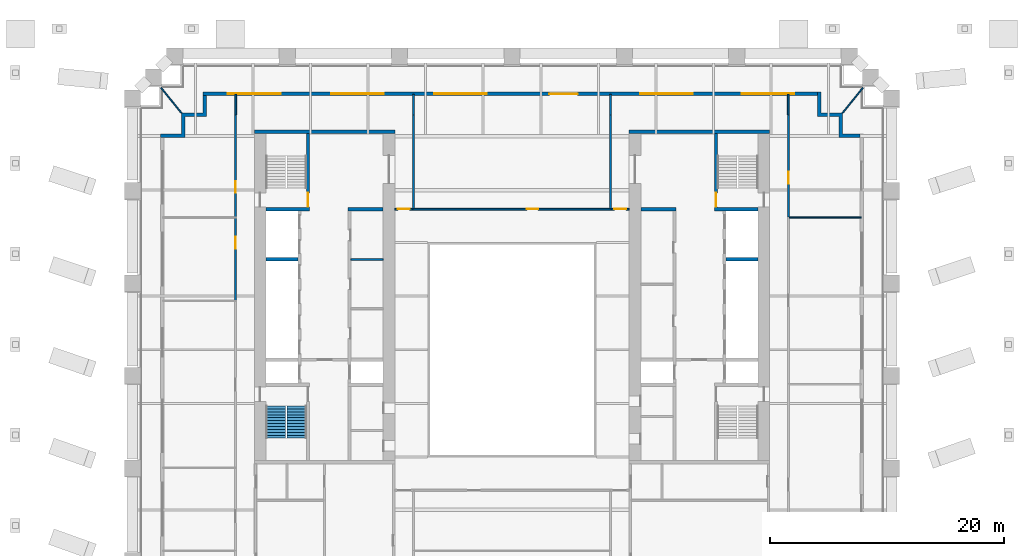
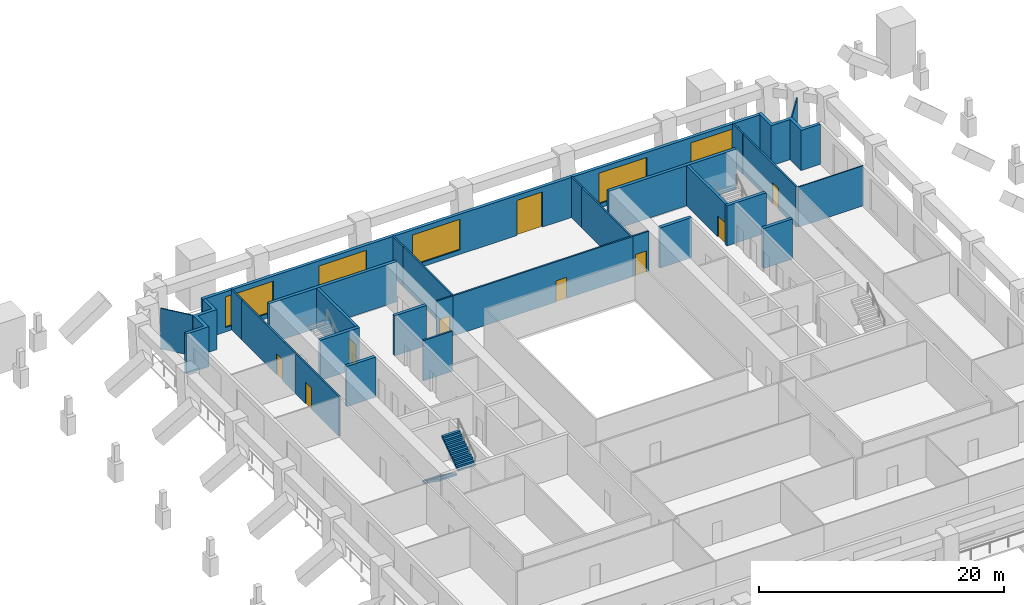
# One storey, part 7 of 10: 29 walls, 9 doors, 5 windows, 2 stair flights, 14 openings, 1 element without a shape of its own.
"""IFC4 building model written with IfcOpenShell, lengths in metres."""

from ifc_helpers import new_model, si_unit, direction, frame, frame_2d, origin, place, context, subcontext, project, spatial, polyline, rectangle, outline, extrude, material, layer, layer_set, type_object, element, fill, aggregate, save


model = new_model("IFC4")

# Units and contexts
model_context = context("Model", 3, precision=1e-05, world=origin(), true_north=direction((0.0, 1.0)))
body_context = subcontext(model_context, "Body", "Model", "MODEL_VIEW")
ifc_project = project(units=[si_unit("LENGTHUNIT", "METRE"), si_unit("AREAUNIT", "SQUARE_METRE"), si_unit("VOLUMEUNIT", "CUBIC_METRE"), si_unit("PLANEANGLEUNIT", "RADIAN"), si_unit("MASSUNIT", "GRAM", prefix="KILO")], contexts=[model_context])

# Site, building, storey
site_placement = place(None, origin())
site = spatial("IfcSite", under=ifc_project, at=site_placement, CompositionType="ELEMENT")
building_placement = place(site_placement, origin())
building = spatial("IfcBuilding", under=site, at=building_placement, Name="Ogive Exchange Tower", CompositionType="ELEMENT")
storey_placement = place(building_placement, frame((0.0, 0.0, 39.60009765625)))
storey = spatial("IfcBuildingStorey", under=building, at=storey_placement, Name="L07", CompositionType="ELEMENT", Elevation=39.60009765625)

# Walls
ifc_material_1 = material(Name="Gypsum board partition")
ifc_layer_1 = layer(ifc_material_1, 0.14990234375)
ifc_layer_set_1 = layer_set([ifc_layer_1], Name="Core room partition 150 gypsum")
wall_type_1 = type_object("IfcWallType", Name="Core room partition 150 gypsum", PredefinedType="PARTITIONING", material=ifc_layer_set_1)
wall_1_placement = place(storey_placement, frame((-13.75, 14.699951171875, 0.0), z_axis=(0.0, 0.0, 1.0), x_axis=(1.0, 0.0, 0.0)))
element("IfcWall", 1, at=wall_1_placement, inside=storey, type_object=wall_type_1, Name="W row B bay partition 1-2", PredefinedType="PARTITIONING", context=body_context, shape_type="SweptSolid", body=[
    extrude(rectangle(XDim=2.75, YDim=0.14990234375, at=frame_2d((1.375, 0.0))), origin(), (0.0, 0.0, 1.0), 4.0),
])
ifc_layer_2 = layer(ifc_material_1, 0.300048828125)
ifc_layer_set_2 = layer_set([ifc_layer_2], Name="Core room partition 300 gypsum")
wall_type_2 = type_object("IfcWallType", Name="Core room partition 300 gypsum", PredefinedType="PARTITIONING", material=ifc_layer_set_2)
for number, where, z_axis, x_axis, name in (
    (2, (-14.0, 19.0, 0.0), (0.0, 0.0, 1.0), (1.0, 0.0, 0.0), "W row B room end wall 7"),
    (3, (11.0, 19.0, 0.0), (0.0, 0.0, 1.0), (1.0, 0.0, 0.0), "E row B room end wall 7"),
):
    element("IfcWall", number, at=place(storey_placement, frame(where, z_axis=z_axis, x_axis=x_axis)), inside=storey, type_object=wall_type_2, Name=name, PredefinedType="PARTITIONING", context=body_context, shape_type="SweptSolid", body=[
        extrude(rectangle(XDim=3.0, YDim=0.300048828125, at=frame_2d((1.5, 0.0))), origin(), (0.0, 0.0, 1.0), 4.0),
    ])

# Wall, opening, door
ifc_material_2 = material(Name="Fire partition EI 60 150")
ifc_layer_3 = layer(ifc_material_2, 0.14990234375)
ifc_layer_set_3 = layer_set([ifc_layer_3], Name="Fire partition EI 60 150")
wall_type_3 = type_object("IfcWallType", Name="Fire partition EI 60 150", PredefinedType="PARTITIONING", material=ifc_layer_set_3)
wall_2_placement = place(storey_placement, frame((-23.60009765625, 11.219970703125, 0.0), z_axis=(0.0, 0.0, 1.0), x_axis=(0.0, 1.0, 0.0)))
wall_2 = element("IfcWall", 4, at=wall_2_placement, inside=storey, type_object=wall_type_3, Name="L07-PWL-010", PredefinedType="PARTITIONING", context=body_context, shape_type="SweptSolid", body=[
    extrude(rectangle(XDim=7.02001953125, YDim=0.14990234375, at=frame_2d((3.510009765625, 0.0))), origin(), (0.0, 0.0, 1.0), 4.0),
])
opening_1_placement = place(wall_2_placement, frame((4.419921875, 0.0, 0.0)))
opening_1 = element("IfcOpeningElement", 5, at=opening_1_placement, cuts=wall_2, Name="Opening L07-I04", PredefinedType="OPENING", context=body_context, shape_type="SweptSolid", body=[
    extrude(rectangle(XDim=1.0, YDim=2.10009765625, at=frame_2d((0.5, 1.050048828125))), frame((0.0, 0.0849609375, 0.0), z_axis=(0.0, -1.0, 0.0), x_axis=(1.0, 0.0, 0.0)), (0.0, 0.0, 1.0), 0.169921875),
])
ifc_material_3 = material(Name="Fire door FD 30S 1000 x 2100")
door_type_1 = type_object("IfcDoorType", Name="Fire door FD 30S 1000 x 2100", OperationType="NOTDEFINED", PredefinedType="DOOR", material=ifc_material_3)
door_1_placement = place(opening_1_placement, origin())
door_1 = element("IfcDoor", 6, at=door_1_placement, inside=storey, type_object=door_type_1, Name="L07-IDR-004", ObjectType="DT3", OperationType="SINGLE_SWING_LEFT", OverallHeight=2.10009765625, OverallWidth=1.0, PredefinedType="DOOR", context=body_context, shape_type="SweptSolid", body=[
    extrude(rectangle(XDim=1.0, YDim=2.10009765625, at=frame_2d((0.5, 1.050048828125))), frame((0.0, 0.02490234375, 0.0), z_axis=(0.0, -1.0, 0.0), x_axis=(1.0, 0.0, 0.0)), (0.0, 0.0, 1.0), 0.050048828125),
])
fill(opening_1, door_1)

wall_3_placement = place(storey_placement, frame((-23.60009765625, 18.340087890625, 0.0), z_axis=(0.0, 0.0, 1.0), x_axis=(0.0, 1.0, 0.0)))
wall_3 = element("IfcWall", 7, at=wall_3_placement, inside=storey, type_object=wall_type_3, Name="L07-PWL-011", PredefinedType="PARTITIONING", context=body_context, shape_type="SweptSolid", body=[
    extrude(rectangle(XDim=8.7099609375, YDim=0.14990234375, at=frame_2d((4.35498046875, 0.0))), origin(), (0.0, 0.0, 1.0), 4.0),
])
opening_2_placement = place(wall_3_placement, frame((2.06005859375, 0.0, 0.0)))
opening_2 = element("IfcOpeningElement", 8, at=opening_2_placement, cuts=wall_3, Name="Opening L07-I09", PredefinedType="OPENING", context=body_context, shape_type="SweptSolid", body=[
    extrude(rectangle(XDim=1.0, YDim=2.10009765625, at=frame_2d((0.5, 1.050048828125))), frame((0.0, 0.0849609375, 0.0), z_axis=(0.0, -1.0, 0.0), x_axis=(1.0, 0.0, 0.0)), (0.0, 0.0, 1.0), 0.169921875),
])
door_2_placement = place(opening_2_placement, origin())
door_2 = element("IfcDoor", 9, at=door_2_placement, inside=storey, type_object=door_type_1, Name="L07-IDR-009", ObjectType="DT3", OperationType="SINGLE_SWING_RIGHT", OverallHeight=2.10009765625, OverallWidth=1.0, PredefinedType="DOOR", context=body_context, shape_type="SweptSolid", body=[
    extrude(rectangle(XDim=1.0, YDim=2.10009765625, at=frame_2d((0.5, 1.050048828125))), frame((0.0, 0.02490234375, 0.0), z_axis=(0.0, -1.0, 0.0), x_axis=(1.0, 0.0, 0.0)), (0.0, 0.0, 1.0), 0.050048828125),
])
fill(opening_2, door_2)

# Walls
for number, where, z_axis, x_axis, name in (
    (10, (-23.590087890625, 27.050048828125, 0.0), (0.0, 0.0, 1.0), (0.0, 1.0, 0.0), "L07-PWL-012"),
    (11, (-8.409912109375, 28.800048828125, 0.0), (0.0, 0.0, 1.0), (0.0, -1.0, 0.0), "L07-PWL-016"),
):
    element("IfcWall", number, at=place(storey_placement, frame(where, z_axis=z_axis, x_axis=x_axis)), inside=storey, type_object=wall_type_3, Name=name, PredefinedType="PARTITIONING", context=body_context, shape_type="SweptSolid", body=[
        extrude(rectangle(XDim=1.75, YDim=0.14990234375, at=frame_2d((0.875, 0.0))), origin(), (0.0, 0.0, 1.0), 4.0),
    ])

# Wall, opening, door
wall_4_placement = place(storey_placement, frame((-8.47509765625, 19.0, 0.0), z_axis=(0.0, 0.0, 1.0), x_axis=(1.0, 0.0, 0.0)))
wall_4 = element("IfcWall", 12, at=wall_4_placement, inside=storey, type_object=wall_type_3, Name="L07-PWL-020", PredefinedType="PARTITIONING", context=body_context, shape_type="SweptSolid", body=[
    extrude(rectangle(XDim=16.9501953125, YDim=0.14990234375, at=frame_2d((8.47509765625, 0.0))), origin(), (0.0, 0.0, 1.0), 4.0),
])
opening_3_placement = place(wall_4_placement, frame((9.72509765625, 0.0, 0.0)))
opening_3 = element("IfcOpeningElement", 13, at=opening_3_placement, cuts=wall_4, Name="Opening L07-I08", PredefinedType="OPENING", context=body_context, shape_type="SweptSolid", body=[
    extrude(rectangle(XDim=1.0, YDim=2.10009765625, at=frame_2d((0.5, 1.050048828125))), frame((0.0, 0.0849609375, 0.0), z_axis=(0.0, -1.0, 0.0), x_axis=(1.0, 0.0, 0.0)), (0.0, 0.0, 1.0), 0.169921875),
])
door_3_placement = place(opening_3_placement, origin())
door_3 = element("IfcDoor", 14, at=door_3_placement, inside=storey, type_object=door_type_1, Name="L07-IDR-008", ObjectType="DT3", OperationType="SINGLE_SWING_LEFT", OverallHeight=2.10009765625, OverallWidth=1.0, PredefinedType="DOOR", context=body_context, shape_type="SweptSolid", body=[
    extrude(rectangle(XDim=1.0, YDim=2.10009765625, at=frame_2d((0.5, 1.050048828125))), frame((0.0, 0.02490234375, 0.0), z_axis=(0.0, -1.0, 0.0), x_axis=(1.0, 0.0, 0.0)), (0.0, 0.0, 1.0), 0.050048828125),
])
fill(opening_3, door_3)

# Walls
for number, where, z_axis, x_axis, name in (
    (15, (-8.39990234375, 27.050048828125, 0.0), (0.0, 0.0, 1.0), (0.0, -1.0, 0.0), "L07-PWL-021"),
    (16, (8.39990234375, 19.074951171875, 0.0), (0.0, 0.0, 1.0), (0.0, 1.0, 0.0), "L07-PWL-031"),
):
    element("IfcWall", number, at=place(storey_placement, frame(where, z_axis=z_axis, x_axis=x_axis)), inside=storey, type_object=wall_type_3, Name=name, PredefinedType="PARTITIONING", context=body_context, shape_type="SweptSolid", body=[
        extrude(rectangle(XDim=7.97509765625, YDim=0.14990234375, at=frame_2d((3.987548828125, 0.0))), origin(), (0.0, 0.0, 1.0), 4.0),
    ])
for number, where, z_axis, x_axis, name in (
    (17, (8.409912109375, 27.050048828125, 0.0), (0.0, 0.0, 1.0), (0.0, 1.0, 0.0), "L07-PWL-032"),
    (18, (23.590087890625, 28.800048828125, 0.0), (0.0, 0.0, 1.0), (0.0, -1.0, 0.0), "L07-PWL-036"),
):
    element("IfcWall", number, at=place(storey_placement, frame(where, z_axis=z_axis, x_axis=x_axis)), inside=storey, type_object=wall_type_3, Name=name, PredefinedType="PARTITIONING", context=body_context, shape_type="SweptSolid", body=[
        extrude(rectangle(XDim=1.75, YDim=0.14990234375, at=frame_2d((0.875, 0.0))), origin(), (0.0, 0.0, 1.0), 4.0),
    ])

# Wall, opening, door
wall_5_placement = place(storey_placement, frame((23.60009765625, 27.050048828125, 0.0), z_axis=(0.0, 0.0, 1.0), x_axis=(0.0, -1.0, 0.0)))
wall_5 = element("IfcWall", 19, at=wall_5_placement, inside=storey, type_object=wall_type_3, Name="L07-PWL-043", PredefinedType="PARTITIONING", context=body_context, shape_type="SweptSolid", body=[
    extrude(rectangle(XDim=8.7099609375, YDim=0.14990234375, at=frame_2d((4.35498046875, 0.0))), origin(), (0.0, 0.0, 1.0), 4.0),
])
opening_4_placement = place(wall_5_placement, frame((4.860107421875, 0.0, 0.0)))
opening_4 = element("IfcOpeningElement", 20, at=opening_4_placement, cuts=wall_5, Name="Opening L07-I07", PredefinedType="OPENING", context=body_context, shape_type="SweptSolid", body=[
    extrude(rectangle(XDim=1.0, YDim=2.10009765625, at=frame_2d((0.5, 1.050048828125))), frame((0.0, 0.0849609375, 0.0), z_axis=(0.0, -1.0, 0.0), x_axis=(1.0, 0.0, 0.0)), (0.0, 0.0, 1.0), 0.169921875),
])
door_4_placement = place(opening_4_placement, origin())
door_4 = element("IfcDoor", 21, at=door_4_placement, inside=storey, type_object=door_type_1, Name="L07-IDR-007", ObjectType="DT3", OperationType="SINGLE_SWING_LEFT", OverallHeight=2.10009765625, OverallWidth=1.0, PredefinedType="DOOR", context=body_context, shape_type="SweptSolid", body=[
    extrude(rectangle(XDim=1.0, YDim=2.10009765625, at=frame_2d((0.5, 1.050048828125))), frame((0.0, 0.02490234375, 0.0), z_axis=(0.0, -1.0, 0.0), x_axis=(1.0, 0.0, 0.0)), (0.0, 0.0, 1.0), 0.050048828125),
])
fill(opening_4, door_4)

wall_6_placement = place(storey_placement, frame((-10.0, 19.0, 0.0), z_axis=(0.0, 0.0, 1.0), x_axis=(1.0, 0.0, 0.0)))
wall_6 = element("IfcWall", 22, at=wall_6_placement, inside=storey, type_object=wall_type_3, Name="L07-PWL-047", PredefinedType="PARTITIONING", context=body_context, shape_type="SweptSolid", body=[
    extrude(rectangle(XDim=1.514892578125, YDim=0.14990234375, at=frame_2d((0.75732421875, 0.0))), origin(), (0.0, 0.0, 1.0), 4.0),
])
opening_5_placement = place(wall_6_placement, frame((0.258056640625, 0.0, 0.0)))
opening_5 = element("IfcOpeningElement", 23, at=opening_5_placement, cuts=wall_6, Name="Opening L07-I17", PredefinedType="OPENING", context=body_context, shape_type="SweptSolid", body=[
    extrude(rectangle(XDim=1.0, YDim=2.10009765625, at=frame_2d((0.5, 1.050048828125))), frame((0.0, 0.0849609375, 0.0), z_axis=(0.0, -1.0, 0.0), x_axis=(1.0, 0.0, 0.0)), (0.0, 0.0, 1.0), 0.169921875),
])
door_5_placement = place(opening_5_placement, origin())
door_5 = element("IfcDoor", 24, at=door_5_placement, inside=storey, type_object=door_type_1, Name="L07-IDR-017", ObjectType="DT3", OperationType="SINGLE_SWING_LEFT", OverallHeight=2.10009765625, OverallWidth=1.0, PredefinedType="DOOR", context=body_context, shape_type="SweptSolid", body=[
    extrude(rectangle(XDim=1.0, YDim=2.10009765625, at=frame_2d((0.5, 1.050048828125))), frame((0.0, 0.02490234375, 0.0), z_axis=(0.0, -1.0, 0.0), x_axis=(1.0, 0.0, 0.0)), (0.0, 0.0, 1.0), 0.050048828125),
])
fill(opening_5, door_5)

wall_7_placement = place(storey_placement, frame((8.485107421875, 19.0, 0.0), z_axis=(0.0, 0.0, 1.0), x_axis=(1.0, 0.0, 0.0)))
wall_7 = element("IfcWall", 25, at=wall_7_placement, inside=storey, type_object=wall_type_3, Name="L07-PWL-049", PredefinedType="PARTITIONING", context=body_context, shape_type="SweptSolid", body=[
    extrude(rectangle(XDim=1.514892578125, YDim=0.14990234375, at=frame_2d((0.75732421875, 0.0))), origin(), (0.0, 0.0, 1.0), 4.0),
])
opening_6_placement = place(wall_7_placement, frame((0.258056640625, 0.0, 0.0)))
opening_6 = element("IfcOpeningElement", 26, at=opening_6_placement, cuts=wall_7, Name="Opening L07-I19", PredefinedType="OPENING", context=body_context, shape_type="SweptSolid", body=[
    extrude(rectangle(XDim=1.0, YDim=2.10009765625, at=frame_2d((0.5, 1.050048828125))), frame((0.0, 0.0849609375, 0.0), z_axis=(0.0, -1.0, 0.0), x_axis=(1.0, 0.0, 0.0)), (0.0, 0.0, 1.0), 0.169921875),
])
door_6_placement = place(opening_6_placement, origin())
door_6 = element("IfcDoor", 27, at=door_6_placement, inside=storey, type_object=door_type_1, Name="L07-IDR-019", ObjectType="DT3", OperationType="SINGLE_SWING_RIGHT", OverallHeight=2.10009765625, OverallWidth=1.0, PredefinedType="DOOR", context=body_context, shape_type="SweptSolid", body=[
    extrude(rectangle(XDim=1.0, YDim=2.10009765625, at=frame_2d((0.5, 1.050048828125))), frame((0.0, 0.02490234375, 0.0), z_axis=(0.0, -1.0, 0.0), x_axis=(1.0, 0.0, 0.0)), (0.0, 0.0, 1.0), 0.050048828125),
])
fill(opening_6, door_6)

# Wall, openings, door, windows
ifc_material_4 = material(Name="Precast concrete C40/50", Category="concrete")
ifc_layer_4 = layer(ifc_material_4, 0.300048828125)
ifc_layer_set_4 = layer_set([ifc_layer_4], Name="Limestone-faced wall 300")
wall_type_4 = type_object("IfcWallType", Name="Limestone-faced wall 300", PredefinedType="STANDARD", material=ifc_layer_set_4)
wall_8_placement = place(storey_placement, frame((26.10009765625, 28.85009765625, 0.0), z_axis=(0.0, 0.0, 1.0), x_axis=(-1.0, 0.0, 0.0)))
wall_8 = element("IfcWall", 28, at=wall_8_placement, inside=storey, type_object=wall_type_4, Name="External wall N3", PredefinedType="STANDARD", context=body_context, shape_type="SweptSolid", body=[
    extrude(rectangle(XDim=52.5, YDim=0.300048828125, at=frame_2d((26.25, 0.0))), origin(), (0.0, 0.0, 1.0), 4.0),
])
opening_7_placement = place(wall_8_placement, frame((2.0, 0.0, 0.449951171875)))
opening_7 = element("IfcOpeningElement", 29, at=opening_7_placement, cuts=wall_8, Name="Opening W1", PredefinedType="OPENING", context=body_context, shape_type="SweptSolid", body=[
    extrude(rectangle(XDim=4.5, YDim=3.050048828125, at=frame_2d((2.25, 1.52490234375))), frame((0.0, 0.159912109375, 0.0), z_axis=(0.0, -1.0, 0.0), x_axis=(1.0, 0.0, 0.0)), (0.0, 0.0, 1.0), 0.320068359375),
])
opening_8_placement = place(wall_8_placement, frame((10.64990234375, 0.0, 0.449951171875)))
opening_8 = element("IfcOpeningElement", 30, at=opening_8_placement, cuts=wall_8, Name="Opening W1", PredefinedType="OPENING", context=body_context, shape_type="SweptSolid", body=[
    extrude(rectangle(XDim=4.5, YDim=3.050048828125, at=frame_2d((2.25, 1.52490234375))), frame((0.0, 0.159912109375, 0.0), z_axis=(0.0, -1.0, 0.0), x_axis=(1.0, 0.0, 0.0)), (0.0, 0.0, 1.0), 0.320068359375),
])
opening_9_placement = place(wall_8_placement, frame((20.5, 0.0, 0.0)))
opening_9 = element("IfcOpeningElement", 31, at=opening_9_placement, cuts=wall_8, Name="Opening D1", PredefinedType="OPENING", context=body_context, shape_type="SweptSolid", body=[
    extrude(rectangle(XDim=2.39990234375, YDim=3.5, at=frame_2d((1.199951171875, 1.75))), frame((0.0, 0.159912109375, 0.0), z_axis=(0.0, -1.0, 0.0), x_axis=(1.0, 0.0, 0.0)), (0.0, 0.0, 1.0), 0.320068359375),
])
opening_10_placement = place(wall_8_placement, frame((28.25, 0.0, 0.449951171875)))
opening_10 = element("IfcOpeningElement", 32, at=opening_10_placement, cuts=wall_8, Name="Opening W1", PredefinedType="OPENING", context=body_context, shape_type="SweptSolid", body=[
    extrude(rectangle(XDim=4.5, YDim=3.050048828125, at=frame_2d((2.25, 1.52490234375))), frame((0.0, 0.159912109375, 0.0), z_axis=(0.0, -1.0, 0.0), x_axis=(1.0, 0.0, 0.0)), (0.0, 0.0, 1.0), 0.320068359375),
])
opening_11_placement = place(wall_8_placement, frame((37.050048828125, 0.0, 0.449951171875)))
opening_11 = element("IfcOpeningElement", 33, at=opening_11_placement, cuts=wall_8, Name="Opening W1", PredefinedType="OPENING", context=body_context, shape_type="SweptSolid", body=[
    extrude(rectangle(XDim=4.5, YDim=3.050048828125, at=frame_2d((2.25, 1.52490234375))), frame((0.0, 0.159912109375, 0.0), z_axis=(0.0, -1.0, 0.0), x_axis=(1.0, 0.0, 0.0)), (0.0, 0.0, 1.0), 0.320068359375),
])
opening_12_placement = place(wall_8_placement, frame((45.85009765625, 0.0, 0.449951171875)))
opening_12 = element("IfcOpeningElement", 34, at=opening_12_placement, cuts=wall_8, Name="Opening W1", PredefinedType="OPENING", context=body_context, shape_type="SweptSolid", body=[
    extrude(rectangle(XDim=4.5, YDim=3.050048828125, at=frame_2d((2.25, 1.52490234375))), frame((0.0, 0.159912109375, 0.0), z_axis=(0.0, -1.0, 0.0), x_axis=(1.0, 0.0, 0.0)), (0.0, 0.0, 1.0), 0.320068359375),
])
ifc_material_5 = material(Name="Clear glass in bronze frame", Category="glass")
door_type_2 = type_object("IfcDoorType", Name="Sliding loggia door 2400 x 3500", OperationType="DOUBLE_DOOR_SLIDING", PredefinedType="DOOR", material=ifc_material_5)
door_7_placement = place(opening_9_placement, origin())
door_7 = element("IfcDoor", 35, at=door_7_placement, inside=storey, type_object=door_type_2, Name="Loggia door N02", OperationType="DOUBLE_DOOR_SLIDING", OverallHeight=3.5, OverallWidth=2.39990234375, PredefinedType="DOOR", context=body_context, shape_type="SweptSolid", body=[
    extrude(rectangle(XDim=2.39990234375, YDim=3.5, at=frame_2d((1.199951171875, 1.75))), frame((0.0, 0.02490234375, 0.0), z_axis=(0.0, -1.0, 0.0), x_axis=(1.0, 0.0, 0.0)), (0.0, 0.0, 1.0), 0.050048828125),
])
fill(opening_9, door_7)
window_type = type_object("IfcWindowType", Name="Twin lancet window 4500 x 3050", PartitioningType="DOUBLE_PANEL_VERTICAL", PredefinedType="WINDOW", material=ifc_material_5)
window_1_placement = place(opening_7_placement, origin())
window_1 = element("IfcWindow", 36, at=window_1_placement, inside=storey, type_object=window_type, Name="Window N00", OverallHeight=3.050048828125, OverallWidth=4.5, PartitioningType="DOUBLE_PANEL_VERTICAL", PredefinedType="WINDOW", context=body_context, shape_type="SweptSolid", body=[
    extrude(rectangle(XDim=4.5, YDim=3.050048828125, at=frame_2d((2.25, 1.52490234375))), frame((0.0, 0.030029296875, 0.0), z_axis=(0.0, -1.0, 0.0), x_axis=(1.0, 0.0, 0.0)), (0.0, 0.0, 1.0), 0.06005859375),
])
fill(opening_7, window_1)
window_2_placement = place(opening_8_placement, origin())
window_2 = element("IfcWindow", 37, at=window_2_placement, inside=storey, type_object=window_type, Name="Window N01", OverallHeight=3.050048828125, OverallWidth=4.5, PartitioningType="DOUBLE_PANEL_VERTICAL", PredefinedType="WINDOW", context=body_context, shape_type="SweptSolid", body=[
    extrude(rectangle(XDim=4.5, YDim=3.050048828125, at=frame_2d((2.25, 1.52490234375))), frame((0.0, 0.030029296875, 0.0), z_axis=(0.0, -1.0, 0.0), x_axis=(1.0, 0.0, 0.0)), (0.0, 0.0, 1.0), 0.06005859375),
])
fill(opening_8, window_2)
window_3_placement = place(opening_10_placement, origin())
window_3 = element("IfcWindow", 38, at=window_3_placement, inside=storey, type_object=window_type, Name="Window N03", OverallHeight=3.050048828125, OverallWidth=4.5, PartitioningType="DOUBLE_PANEL_VERTICAL", PredefinedType="WINDOW", context=body_context, shape_type="SweptSolid", body=[
    extrude(rectangle(XDim=4.5, YDim=3.050048828125, at=frame_2d((2.25, 1.52490234375))), frame((0.0, 0.030029296875, 0.0), z_axis=(0.0, -1.0, 0.0), x_axis=(1.0, 0.0, 0.0)), (0.0, 0.0, 1.0), 0.06005859375),
])
fill(opening_10, window_3)
window_4_placement = place(opening_11_placement, origin())
window_4 = element("IfcWindow", 39, at=window_4_placement, inside=storey, type_object=window_type, Name="Window N04", OverallHeight=3.050048828125, OverallWidth=4.5, PartitioningType="DOUBLE_PANEL_VERTICAL", PredefinedType="WINDOW", context=body_context, shape_type="SweptSolid", body=[
    extrude(rectangle(XDim=4.5, YDim=3.050048828125, at=frame_2d((2.25, 1.52490234375))), frame((0.0, 0.030029296875, 0.0), z_axis=(0.0, -1.0, 0.0), x_axis=(1.0, 0.0, 0.0)), (0.0, 0.0, 1.0), 0.06005859375),
])
fill(opening_11, window_4)
window_5_placement = place(opening_12_placement, origin())
window_5 = element("IfcWindow", 40, at=window_5_placement, inside=storey, type_object=window_type, Name="Window N05", OverallHeight=3.050048828125, OverallWidth=4.5, PartitioningType="DOUBLE_PANEL_VERTICAL", PredefinedType="WINDOW", context=body_context, shape_type="SweptSolid", body=[
    extrude(rectangle(XDim=4.5, YDim=3.050048828125, at=frame_2d((2.25, 1.52490234375))), frame((0.0, 0.030029296875, 0.0), z_axis=(0.0, -1.0, 0.0), x_axis=(1.0, 0.0, 0.0)), (0.0, 0.0, 1.0), 0.06005859375),
])
fill(opening_12, window_5)

# Walls
wall_9_placement = place(storey_placement, origin())
element("IfcWall", 41, at=wall_9_placement, inside=storey, type_object=wall_type_4, Name="External corner wall C2", PredefinedType="STANDARD", context=body_context, shape_type="SweptSolid", body=[
    extrude(outline(polyline([(27.89990234375, 26.89990234375), (26.10009765625, 26.89990234375), (26.10009765625, 29.0), (26.39990234375, 29.0), (26.39990234375, 27.199951171875), (28.199951171875, 27.199951171875), (28.199951171875, 25.39990234375), (29.699951171875, 25.39990234375), (29.699951171875, 25.10009765625), (27.89990234375, 25.10009765625), (27.89990234375, 26.89990234375)])), origin(), (0.0, 0.0, 1.0), 4.0),
])
wall_10_placement = place(storey_placement, origin())
element("IfcWall", 42, at=wall_10_placement, inside=storey, type_object=wall_type_4, Name="External corner wall C3", PredefinedType="STANDARD", context=body_context, shape_type="SweptSolid", body=[
    extrude(outline(polyline([(-28.199951171875, 25.39990234375), (-28.199951171875, 27.199951171875), (-26.39990234375, 27.199951171875), (-26.39990234375, 28.699951171875), (-26.10009765625, 28.699951171875), (-26.10009765625, 26.89990234375), (-27.89990234375, 26.89990234375), (-27.89990234375, 25.10009765625), (-30.0, 25.10009765625), (-30.0, 25.39990234375), (-28.199951171875, 25.39990234375)])), origin(), (0.0, 0.0, 1.0), 4.0),
])
ifc_material_6 = material(Name="Laminated safety glass in steel frame", Category="steel")
ifc_layer_5 = layer(ifc_material_6, 0.10009765625)
ifc_layer_set_5 = layer_set([ifc_layer_5], Name="Loggia end screen 100")
wall_type_5 = type_object("IfcWallType", Name="Loggia end screen 100", PredefinedType="STANDARD", material=ifc_layer_set_5)
for number, where, z_axis, x_axis, name in (
    (43, (28.199951171875, 27.199951171875, -0.050048828125), (0.0, 0.0, 1.0), (0.631639832541, 0.775261969883, 0.0), "Loggia end screen C2"),
    (44, (-28.199951171875, 27.199951171875, -0.050048828125), (0.0, 0.0, 1.0), (-0.631639832541, 0.775261969883, 0.0), "Loggia end screen C3"),
):
    element("IfcWall", number, at=place(storey_placement, frame(where, z_axis=z_axis, x_axis=x_axis)), inside=storey, type_object=wall_type_5, Name=name, PredefinedType="STANDARD", context=body_context, shape_type="SweptSolid", body=[
        extrude(rectangle(XDim=2.78955078125, YDim=0.10009765625, at=frame_2d((1.394775390625, 0.0))), origin(), (0.0, 0.0, 1.0), 4.050048828125),
    ])
ifc_material_7 = material(Name="Partition 100 gypsum")
ifc_layer_6 = layer(ifc_material_7, 0.10009765625)
ifc_layer_set_6 = layer_set([ifc_layer_6], Name="Partition 100 gypsum")
wall_type_6 = type_object("IfcWallType", Name="Partition 100 gypsum", PredefinedType="PARTITIONING", material=ifc_layer_set_6)
wall_11_placement = place(storey_placement, frame((23.675048828125, 18.2900390625, 0.0), z_axis=(0.0, 0.0, 1.0), x_axis=(1.0, 0.0, 0.0)))
element("IfcWall", 45, at=wall_11_placement, inside=storey, type_object=wall_type_6, Name="L07-PWL-042", PredefinedType="PARTITIONING", context=body_context, shape_type="SweptSolid", body=[
    extrude(rectangle(XDim=6.125, YDim=0.10009765625, at=frame_2d((3.0625, 0.0))), origin(), (0.0, 0.0, 1.0), 4.0),
])

# Wall, opening, door
ifc_material_8 = material(Name="Concrete C70/85", Category="concrete")
ifc_layer_7 = layer(ifc_material_8, 0.25)
ifc_layer_set_7 = layer_set([ifc_layer_7], Name="RC core wall 250 C70/85")
wall_type_7 = type_object("IfcWallType", Name="RC core wall 250 C70/85", PredefinedType="SHEAR", material=ifc_layer_set_7)
wall_12_placement = place(storey_placement, frame((-17.425048828125, 19.14990234375, 0.0), z_axis=(0.0, 0.0, 1.0), x_axis=(0.0, 1.0, 0.0)))
wall_12 = element("IfcWall", 46, at=wall_12_placement, inside=storey, type_object=wall_type_7, Name="W stair N front wall", PredefinedType="SHEAR", context=body_context, shape_type="SweptSolid", body=[
    extrude(rectangle(XDim=6.300048828125, YDim=0.25, at=frame_2d((3.14990234375, 0.0))), origin(), (0.0, 0.0, 1.0), 4.0),
])
opening_13_placement = place(wall_12_placement, frame((0.050048828125, 0.0, 0.0)))
opening_13 = element("IfcOpeningElement", 47, at=opening_13_placement, cuts=wall_12, Name="Opening L07-C16", PredefinedType="OPENING", context=body_context, shape_type="SweptSolid", body=[
    extrude(rectangle(XDim=1.199951171875, YDim=2.10009765625, at=frame_2d((0.60009765625, 1.050048828125))), frame((0.0, 0.135009765625, 0.0), z_axis=(0.0, -1.0, 0.0), x_axis=(1.0, 0.0, 0.0)), (0.0, 0.0, 1.0), 0.27001953125),
])
ifc_material_9 = material(Name="Steel fire door", Category="steel")
door_type_3 = type_object("IfcDoorType", Name="Stair door FD90 1200 x 2100", OperationType="NOTDEFINED", PredefinedType="DOOR", material=ifc_material_9)
door_8_placement = place(opening_13_placement, origin())
door_8 = element("IfcDoor", 48, at=door_8_placement, inside=storey, type_object=door_type_3, Name="Stair door", ObjectType="CD5", OperationType="SINGLE_SWING_RIGHT", OverallHeight=2.10009765625, OverallWidth=1.199951171875, PredefinedType="DOOR", context=body_context, shape_type="SweptSolid", body=[
    extrude(rectangle(XDim=1.199951171875, YDim=2.10009765625, at=frame_2d((0.60009765625, 1.050048828125))), frame((0.0, 0.02490234375, 0.0), z_axis=(0.0, -1.0, 0.0), x_axis=(1.0, 0.0, 0.0)), (0.0, 0.0, 1.0), 0.050048828125),
])
fill(opening_13, door_8)

wall_13_placement = place(storey_placement, frame((17.425048828125, 19.14990234375, 0.0), z_axis=(0.0, 0.0, 1.0), x_axis=(0.0, 1.0, 0.0)))
wall_13 = element("IfcWall", 49, at=wall_13_placement, inside=storey, type_object=wall_type_7, Name="E stair N front wall", PredefinedType="SHEAR", context=body_context, shape_type="SweptSolid", body=[
    extrude(rectangle(XDim=6.300048828125, YDim=0.25, at=frame_2d((3.14990234375, 0.0))), origin(), (0.0, 0.0, 1.0), 4.0),
])
opening_14_placement = place(wall_13_placement, frame((0.050048828125, 0.0, 0.0)))
opening_14 = element("IfcOpeningElement", 50, at=opening_14_placement, cuts=wall_13, Name="Opening L07-C38", PredefinedType="OPENING", context=body_context, shape_type="SweptSolid", body=[
    extrude(rectangle(XDim=1.199951171875, YDim=2.10009765625, at=frame_2d((0.60009765625, 1.050048828125))), frame((0.0, 0.135009765625, 0.0), z_axis=(0.0, -1.0, 0.0), x_axis=(1.0, 0.0, 0.0)), (0.0, 0.0, 1.0), 0.27001953125),
])
door_9_placement = place(opening_14_placement, frame((1.199951171875, 0.0, 0.0), z_axis=(0.0, 0.0, 1.0), x_axis=(-1.0, 0.0, 0.0)))
door_9 = element("IfcDoor", 51, at=door_9_placement, inside=storey, type_object=door_type_3, Name="Stair door", ObjectType="CD5", OperationType="SINGLE_SWING_LEFT", OverallHeight=2.10009765625, OverallWidth=1.199951171875, PredefinedType="DOOR", context=body_context, shape_type="SweptSolid", body=[
    extrude(rectangle(XDim=1.199951171875, YDim=2.10009765625, at=frame_2d((0.60009765625, 1.050048828125))), frame((0.0, 0.02490234375, 0.0), z_axis=(0.0, -1.0, 0.0), x_axis=(1.0, 0.0, 0.0)), (0.0, 0.0, 1.0), 0.050048828125),
])
fill(opening_14, door_9)

# Walls
ifc_layer_8 = layer(ifc_material_8, 0.300048828125)
ifc_layer_set_8 = layer_set([ifc_layer_8], Name="RC core wall 300 C70/85")
wall_type_8 = type_object("IfcWallType", Name="RC core wall 300 C70/85", PredefinedType="SHEAR", material=ifc_layer_set_8)
wall_14_placement = place(storey_placement, frame((-22.0, 25.60009765625, 0.0), z_axis=(0.0, 0.0, 1.0), x_axis=(1.0, 0.0, 0.0)))
element("IfcWall", 52, at=wall_14_placement, inside=storey, type_object=wall_type_8, Name="W north end wall", PredefinedType="SHEAR", context=body_context, shape_type="SweptSolid", body=[
    extrude(rectangle(XDim=12.0, YDim=0.300048828125, at=frame_2d((6.0, 0.0))), origin(), (0.0, 0.0, 1.0), 4.0),
])
wall_15_placement = place(storey_placement, frame((-21.0, 19.0, 0.0), z_axis=(0.0, 0.0, 1.0), x_axis=(1.0, 0.0, 0.0)))
element("IfcWall", 53, at=wall_15_placement, inside=storey, type_object=wall_type_8, Name="W stair N south wall", PredefinedType="SHEAR", context=body_context, shape_type="SweptSolid", body=[
    extrude(rectangle(XDim=3.699951171875, YDim=0.300048828125, at=frame_2d((1.85009765625, 0.0))), origin(), (0.0, 0.0, 1.0), 4.0),
])
wall_16_placement = place(storey_placement, frame((-21.0, 14.71435546875, 0.0), z_axis=(0.0, 0.0, 1.0), x_axis=(1.0, 0.0, 0.0)))
element("IfcWall", 54, at=wall_16_placement, inside=storey, type_object=wall_type_8, Name="W row A divider 5", PredefinedType="SHEAR", context=body_context, shape_type="SweptSolid", body=[
    extrude(rectangle(XDim=2.75, YDim=0.300048828125, at=frame_2d((1.375, 0.0))), origin(), (0.0, 0.0, 1.0), 4.0),
])
wall_17_placement = place(storey_placement, frame((10.0, 25.60009765625, 0.0), z_axis=(0.0, 0.0, 1.0), x_axis=(1.0, 0.0, 0.0)))
element("IfcWall", 55, at=wall_17_placement, inside=storey, type_object=wall_type_8, Name="E north end wall", PredefinedType="SHEAR", context=body_context, shape_type="SweptSolid", body=[
    extrude(rectangle(XDim=12.0, YDim=0.300048828125, at=frame_2d((6.0, 0.0))), origin(), (0.0, 0.0, 1.0), 4.0),
])
wall_18_placement = place(storey_placement, frame((17.300048828125, 19.0, 0.0), z_axis=(0.0, 0.0, 1.0), x_axis=(1.0, 0.0, 0.0)))
element("IfcWall", 56, at=wall_18_placement, inside=storey, type_object=wall_type_8, Name="E stair N south wall", PredefinedType="SHEAR", context=body_context, shape_type="SweptSolid", body=[
    extrude(rectangle(XDim=3.699951171875, YDim=0.300048828125, at=frame_2d((1.85009765625, 0.0))), origin(), (0.0, 0.0, 1.0), 4.0),
])
wall_19_placement = place(storey_placement, frame((18.25, 14.71435546875, 0.0), z_axis=(0.0, 0.0, 1.0), x_axis=(1.0, 0.0, 0.0)))
element("IfcWall", 57, at=wall_19_placement, inside=storey, type_object=wall_type_8, Name="E row A divider 5", PredefinedType="SHEAR", context=body_context, shape_type="SweptSolid", body=[
    extrude(rectangle(XDim=2.75, YDim=0.300048828125, at=frame_2d((1.375, 0.0))), origin(), (0.0, 0.0, 1.0), 4.0),
])

# Stair, stair flights
ifc_material_10 = material(Name="Concrete C40/50", Category="concrete")
stair_type = type_object("IfcStairType", Name="Exit stair 1650 wide", PredefinedType="HALF_TURN_STAIR", material=ifc_material_10)
stair_placement = place(storey_placement, origin())
stair = element("IfcStair", 58, at=stair_placement, inside=storey, type_object=stair_type, Name="L07 exit stair ST1", PredefinedType="HALF_TURN_STAIR")
stair_flight_type = type_object("IfcStairFlightType", Name="Stair flight 1650 wide", PredefinedType="STRAIGHT", material=ifc_material_10)
stair_flight_1_placement = place(storey_placement, frame((-20.175048828125, 2.199951171875, 0.0), z_axis=(0.0, 0.0, 1.0), x_axis=(0.0, -1.0, 0.0)))
stair_flight_1 = element("IfcStairFlight", 59, at=stair_flight_1_placement, type_object=stair_flight_type, Name="ST1 flight 1", NumberOfRisers=12, NumberOfTreads=11, PredefinedType="STRAIGHT", RiserHeight=0.175, TreadLength=0.25, context=body_context, shape_type="SweptSolid", body=[
    extrude(outline(polyline([(0.0, 0.0), (0.0, 0.175048828125), (0.25, 0.175048828125), (0.25, 0.35009765625), (0.5, 0.35009765625), (0.5, 0.52490234375), (0.75, 0.52490234375), (0.75, 0.699951171875), (1.0, 0.699951171875), (1.0, 0.875), (1.25, 0.875), (1.25, 1.050048828125), (1.5, 1.050048828125), (1.5, 1.22509765625), (1.75, 1.22509765625), (1.75, 1.39990234375), (2.0, 1.39990234375), (2.0, 1.574951171875), (2.25, 1.574951171875), (2.25, 1.75), (2.5, 1.75), (2.5, 1.925048828125), (2.75, 1.925048828125), (2.75, 2.10009765625), (2.75, 1.741943359375), (0.261474609375, 0.0), (0.0, 0.0)])), frame((0.0, 0.824951171875, 0.0), z_axis=(0.0, -1.0, 0.0), x_axis=(1.0, 0.0, 0.0)), (0.0, 0.0, 1.0), 1.64990234375),
])
stair_flight_2_placement = place(storey_placement, frame((-18.375, -0.550048828125, 2.099853515625), z_axis=(0.0, 0.0, 1.0), x_axis=(0.0, 1.0, 0.0)))
stair_flight_2 = element("IfcStairFlight", 60, at=stair_flight_2_placement, type_object=stair_flight_type, Name="ST1 flight 2", NumberOfRisers=12, NumberOfTreads=11, PredefinedType="STRAIGHT", RiserHeight=0.175, TreadLength=0.25, context=body_context, shape_type="SweptSolid", body=[
    extrude(outline(polyline([(0.0, 0.0), (0.0, 0.175048828125), (0.25, 0.175048828125), (0.25, 0.35009765625), (0.5, 0.35009765625), (0.5, 0.52490234375), (0.75, 0.52490234375), (0.75, 0.699951171875), (1.0, 0.699951171875), (1.0, 0.875), (1.25, 0.875), (1.25, 1.050048828125), (1.5, 1.050048828125), (1.5, 1.22509765625), (1.75, 1.22509765625), (1.75, 1.39990234375), (2.0, 1.39990234375), (2.0, 1.574951171875), (2.25, 1.574951171875), (2.25, 1.75), (2.5, 1.75), (2.5, 1.925048828125), (2.75, 1.925048828125), (2.75, 2.10009765625), (2.75, 1.741943359375), (0.261474609375, 0.0), (0.0, 0.0)])), frame((0.0, 0.824951171875, 0.0), z_axis=(0.0, -1.0, 0.0), x_axis=(1.0, 0.0, 0.0)), (0.0, 0.0, 1.0), 1.64990234375),
])
aggregate(stair, [stair_flight_1, stair_flight_2])

save(model, "model.ifc")
